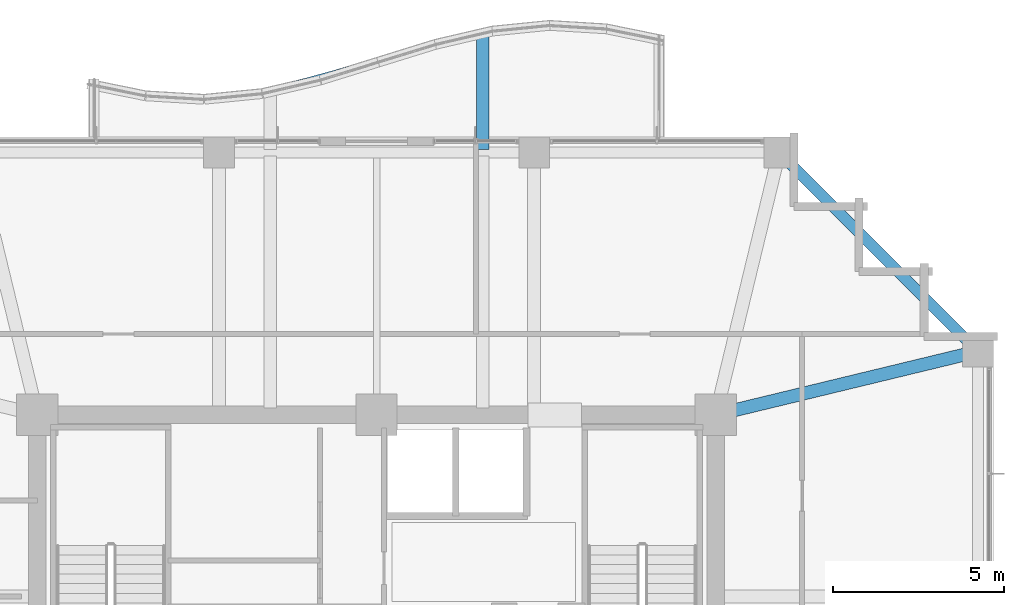
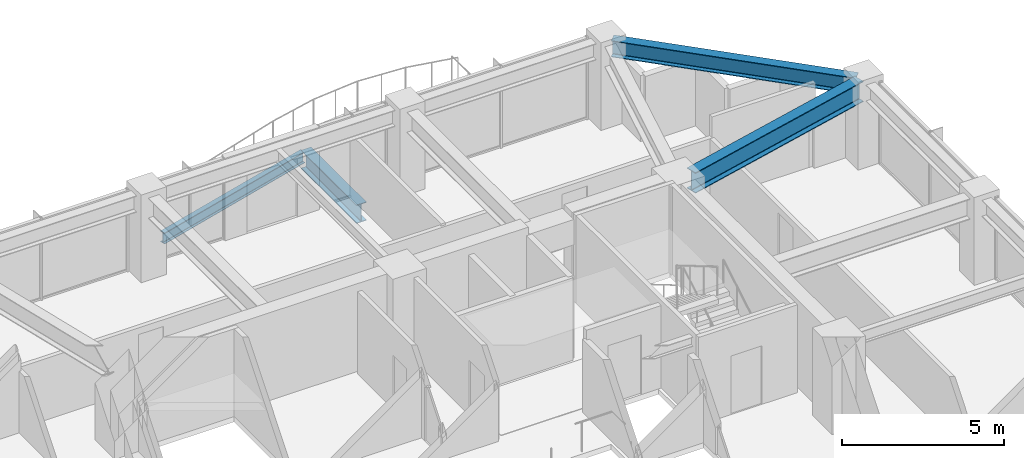
# One storey, part 20 of 31: 4 beams.
"""IFC4 building model written with IfcOpenShell, lengths in metres."""

from ifc_helpers import new_model, si_unit, direction, frame, origin, origin_2d, place, context, subcontext, project, spatial, i_section, extrude, material, material_profile, profile_set, type_object, element, save


model = new_model("IFC4")

# Units and contexts
model_context = context("Model", 3, precision=1e-05, world=origin(), true_north=direction((0.0, 1.0)))
body_context = subcontext(model_context, "Body", "Model", "MODEL_VIEW")
ifc_project = project(units=[si_unit("LENGTHUNIT", "METRE"), si_unit("AREAUNIT", "SQUARE_METRE"), si_unit("VOLUMEUNIT", "CUBIC_METRE"), si_unit("PLANEANGLEUNIT", "RADIAN"), si_unit("MASSUNIT", "GRAM", prefix="KILO")], contexts=[model_context])

# Site, building, storey
site_placement = place(None, origin())
site = spatial("IfcSite", under=ifc_project, at=site_placement, CompositionType="ELEMENT")
building_placement = place(site_placement, origin())
building = spatial("IfcBuilding", under=site, at=building_placement, Name="Kolvaren Belvedere", CompositionType="ELEMENT")
storey_placement = place(building_placement, frame((0.0, 0.0, 134.89990234375)))
storey = spatial("IfcBuildingStorey", under=building, at=storey_placement, Name="L39", CompositionType="ELEMENT", Elevation=134.89990234375)

# Beams
ifc_material_1 = material(Name="Structural steel ASTM A992 Grade 50", Category="steel")
ifc_material_profile_1 = material_profile(ifc_material_1, i_section(OverallWidth=0.35498046875, OverallDepth=0.696044921875, WebThickness=0.015380859375, FlangeThickness=0.02490234375, FilletRadius=0.02197265625, at=origin_2d()), Name="W27X146")
ifc_profile_set_1 = profile_set([ifc_material_profile_1], Name="Structural steel ASTM A992 Grade 50")
beam_type_1 = type_object("IfcBeamType", Name="BM-CANT-BAL", PredefinedType="BEAM", material=ifc_profile_set_1)
beam_1_placement = place(storey_placement, frame((3.10009765625, 17.64501953125, -0.5478515625), z_axis=(0.0, 1.0, 0.0), x_axis=(-1.0, 0.0, 0.0)))
element("IfcBeam", 1, at=beam_1_placement, inside=storey, type_object=beam_type_1, Name="L39 Planted Balcony Cantilever BAL-N-2", PredefinedType="BEAM", context=body_context, shape_type="SweptSolid", body=[
    extrude(i_section(OverallWidth=0.35498046875, OverallDepth=0.696044921875, WebThickness=0.015380859375, FlangeThickness=0.02490234375, FilletRadius=0.02197265625, at=origin_2d()), origin(), (0.0, 0.0, 1.0), 3.40625),
])
ifc_material_2 = material(Name="Structural steel ASTM A992 Grade 50", Category="steel")
ifc_material_profile_2 = material_profile(ifc_material_2, i_section(OverallWidth=0.180908203125, OverallDepth=0.4169921875, WebThickness=0.010986328125, FlangeThickness=0.018310546875, FilletRadius=0.013916015625, at=origin_2d()), Name="W16X57")
ifc_profile_set_2 = profile_set([ifc_material_profile_2], Name="Structural steel ASTM A992 Grade 50")
beam_type_2 = type_object("IfcBeamType", Name="BM-EDGE-W16X57", PredefinedType="BEAM", material=ifc_profile_set_2)
beam_2_placement = place(storey_placement, frame((-2.965087890625, 19.3857421875, -0.408447265625), z_axis=(0.964304286407, 0.26479660726, 0.0), x_axis=(-0.26479660726, 0.964304286407, 0.0)))
element("IfcBeam", 2, at=beam_2_placement, inside=storey, type_object=beam_type_2, Name="L39 Balcony Tip Header Beam BAL-N", PredefinedType="BEAM", context=body_context, shape_type="SweptSolid", body=[
    extrude(i_section(OverallWidth=0.180908203125, OverallDepth=0.4169921875, WebThickness=0.010986328125, FlangeThickness=0.018310546875, FilletRadius=0.013916015625, at=origin_2d()), origin(), (0.0, 0.0, 1.0), 6.149658203125),
])
ifc_material_3 = material(Name="Structural steel ASTM A992 Grade 50", Category="steel")
ifc_material_profile_3 = material_profile(ifc_material_3, i_section(OverallWidth=0.381103515625, OverallDepth=0.77294921875, WebThickness=0.0166015625, FlangeThickness=0.027099609375, FilletRadius=0.02392578125, at=origin_2d()), Name="W30X173")
ifc_profile_set_3 = profile_set([ifc_material_profile_3], Name="Structural steel ASTM A992 Grade 50")
beam_type_3 = type_object("IfcBeamType", Name="BM-GIRD-W30X173", PredefinedType="BEAM", material=ifc_profile_set_3)
beam_3_placement = place(storey_placement, frame((10.4345703125, 10.029296875, 2.713623046875), z_axis=(0.971980197119, 0.235062749937, 0.0), x_axis=(-0.235062749937, 0.971980197119, 0.0)))
element("IfcBeam", 3, at=beam_3_placement, inside=storey, type_object=beam_type_3, Name="L39 Corner Core-to-Perimeter Girder CC3-E4", PredefinedType="BEAM", context=body_context, shape_type="SweptSolid", body=[
    extrude(i_section(OverallWidth=0.381103515625, OverallDepth=0.77294921875, WebThickness=0.0166015625, FlangeThickness=0.027099609375, FilletRadius=0.02392578125, at=origin_2d()), origin(), (0.0, 0.0, 1.0), 7.140625),
])
ifc_material_4 = material(Name="Structural steel ASTM A992 Grade 50", Category="steel")
ifc_material_profile_4 = material_profile(ifc_material_4, i_section(OverallWidth=0.324951171875, OverallDepth=0.615966796875, WebThickness=0.013916015625, FlangeThickness=0.021484375, FilletRadius=0.02001953125, at=origin_2d()), Name="W24X117")
ifc_profile_set_4 = profile_set([ifc_material_profile_4], Name="Structural steel ASTM A992 Grade 50")
beam_type_4 = type_object("IfcBeamType", Name="BM-SPAN-W24X117", PredefinedType="SPANDREL", material=ifc_profile_set_4)
beam_4_placement = place(storey_placement, frame((17.40673828125, 11.893310546875, 2.7919921875), z_axis=(-0.707106781187, 0.707106781187, 0.0), x_axis=(-0.707106781187, -0.707106781187, 0.0)))
element("IfcBeam", 4, at=beam_4_placement, inside=storey, type_object=beam_type_4, Name="L39 Perimeter Spandrel E4-N4", PredefinedType="SPANDREL", context=body_context, shape_type="SweptSolid", body=[
    extrude(i_section(OverallWidth=0.324951171875, OverallDepth=0.615966796875, WebThickness=0.013916015625, FlangeThickness=0.021484375, FilletRadius=0.02001953125, at=origin_2d()), origin(), (0.0, 0.0, 1.0), 7.797119140625),
])

save(model, "model.ifc")
